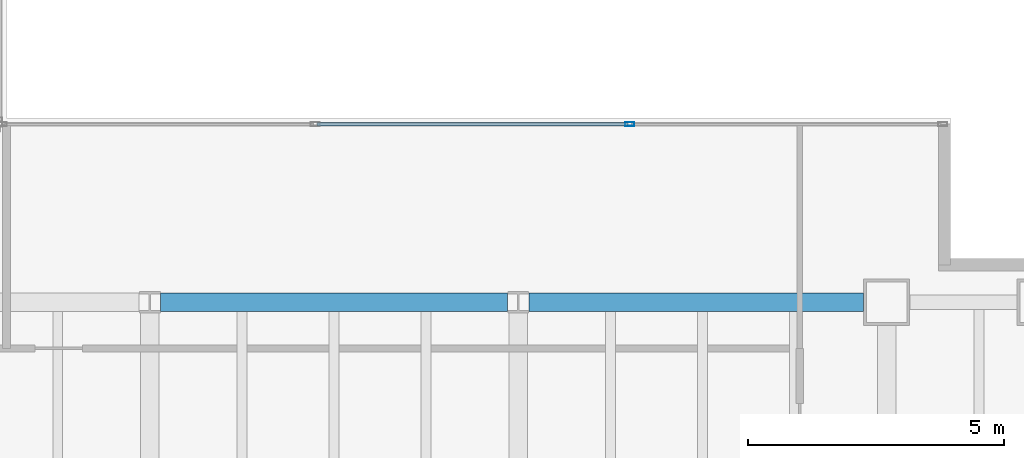
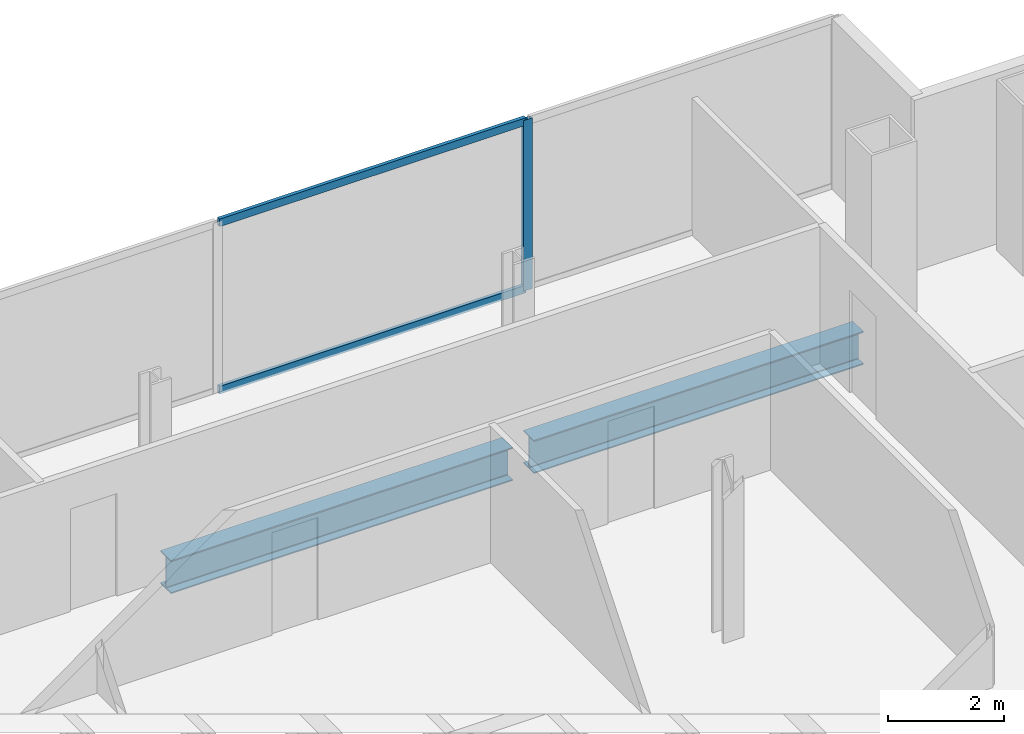
# One storey, part 14 of 23: 3 members, 2 beams, 1 element without a shape of its own.
"""IFC4 building model written with IfcOpenShell, lengths in metres."""

from ifc_helpers import new_model, si_unit, direction, frame, origin, origin_2d, place, context, subcontext, project, spatial, hollow_rectangle, i_section, extrude, material, material_profile, profile_set, type_object, element, aggregate, save


model = new_model("IFC4")

# Units and contexts
model_context = context("Model", 3, precision=1e-05, world=origin(), true_north=direction((0.0, 1.0)))
body_context = subcontext(model_context, "Body", "Model", "MODEL_VIEW")
ifc_project = project(units=[si_unit("LENGTHUNIT", "METRE"), si_unit("AREAUNIT", "SQUARE_METRE"), si_unit("VOLUMEUNIT", "CUBIC_METRE"), si_unit("PLANEANGLEUNIT", "RADIAN"), si_unit("MASSUNIT", "GRAM", prefix="KILO")], contexts=[model_context])

# Site, building, storey
site_placement = place(None, origin())
site = spatial("IfcSite", under=ifc_project, at=site_placement, CompositionType="ELEMENT")
building_placement = place(site_placement, origin())
building = spatial("IfcBuilding", under=site, at=building_placement, Name="Cobrela Telecom Tower", CompositionType="ELEMENT")
storey_placement = place(building_placement, frame((0.0, 0.0, 125.300048828125)))
storey = spatial("IfcBuildingStorey", under=building, at=storey_placement, Name="L31", CompositionType="ELEMENT", Elevation=125.300048828125)

# Beams
ifc_material_1 = material(Name="Steel ASTM A992 Grade 50", Category="steel")
ifc_material_profile_1 = material_profile(ifc_material_1, i_section(OverallWidth=0.35595703125, OverallDepth=0.696044921875, WebThickness=0.015380859375, FlangeThickness=0.024658203125, FilletRadius=0.01806640625, at=origin_2d()), Name="W27X146")
ifc_profile_set_1 = profile_set([ifc_material_profile_1], Name="Steel ASTM A992 Grade 50")
beam_type = type_object("IfcBeamType", Name="BM-GIRD-05", PredefinedType="USERDEFINED", material=ifc_profile_set_1)
beam_1_placement = place(storey_placement, frame((29.009521484375, 21.60009765625, -0.6181640625), z_axis=(1.0, 0.0, 0.0), x_axis=(0.0, 1.0, 0.0)))
element("IfcBeam", 1, at=beam_1_placement, inside=storey, type_object=beam_type, Name="L31 Primary Girder X20", ObjectType="GIRDER", PredefinedType="USERDEFINED", context=body_context, shape_type="SweptSolid", body=[
    extrude(i_section(OverallWidth=0.35595703125, OverallDepth=0.696044921875, WebThickness=0.015380859375, FlangeThickness=0.024658203125, FilletRadius=0.01806640625, at=origin_2d()), origin(), (0.0, 0.0, 1.0), 6.781005859375),
])
beam_2_placement = place(storey_placement, frame((36.20947265625, 21.60009765625, -0.6181640625), z_axis=(1.0, 0.0, 0.0), x_axis=(0.0, 1.0, 0.0)))
element("IfcBeam", 2, at=beam_2_placement, inside=storey, type_object=beam_type, Name="L31 Primary Girder X21", ObjectType="GIRDER", PredefinedType="USERDEFINED", context=body_context, shape_type="SweptSolid", body=[
    extrude(i_section(OverallWidth=0.35595703125, OverallDepth=0.696044921875, WebThickness=0.015380859375, FlangeThickness=0.024658203125, FilletRadius=0.01806640625, at=origin_2d()), origin(), (0.0, 0.0, 1.0), 6.53564453125),
])

# Curtain wall, members
ifc_material_2 = material(Name="Anodized Bronze Aluminium 6063-T6", Category="aluminium")
curtain_wall_type = type_object("IfcCurtainWallType", Name="CW-SYS-TEL", PredefinedType="USERDEFINED", material=ifc_material_2)
curtain_wall_placement = place(storey_placement, origin())
curtain_wall = element("IfcCurtainWall", 3, at=curtain_wall_placement, inside=storey, type_object=curtain_wall_type, Name="L31 Unitised Bronze Curtain Wall 11", ObjectType="UNITISED CURTAIN WALL", PredefinedType="USERDEFINED")
ifc_material_profile_2 = material_profile(ifc_material_2, hollow_rectangle(XDim=0.074951171875, YDim=0.179931640625, WallThickness=0.00390625, at=origin_2d()), Name="ALU 75x180x4")
ifc_profile_set_2 = profile_set([ifc_material_profile_2], Name="Anodized Bronze Aluminium 6063-T6")
member_type_1 = type_object("IfcMemberType", Name="CW-SYS-TEL-MUL", PredefinedType="MULLION", material=ifc_profile_set_2)
member_1_placement = place(storey_placement, frame((38.179931640625, 25.080078125, 0.0), z_axis=(0.0, 0.0, 1.0), x_axis=(0.0, 1.0, 0.0)))
member_1 = element("IfcMember", 4, at=member_1_placement, type_object=member_type_1, Name="CW-TEL mullion 3", PredefinedType="MULLION", context=body_context, shape_type="SweptSolid", body=[
    extrude(hollow_rectangle(XDim=0.074951171875, YDim=0.179931640625, WallThickness=0.00390625, at=origin_2d()), origin(), (0.0, 0.0, 1.0), 3.579833984375),
])
ifc_material_profile_3 = material_profile(ifc_material_2, hollow_rectangle(XDim=0.070068359375, YDim=0.159912109375, WallThickness=0.00390625, at=origin_2d()), Name="ALU 70x160x4")
ifc_profile_set_3 = profile_set([ifc_material_profile_3], Name="Anodized Bronze Aluminium 6063-T6")
member_type_2 = type_object("IfcMemberType", Name="CW-SYS-TEL-TRN", PredefinedType="USERDEFINED", material=ifc_profile_set_3)
member_2_placement = place(storey_placement, frame((32.0673828125, 25.080078125, 0.034912109375), z_axis=(1.0, 0.0, 0.0), x_axis=(0.0, 1.0, 0.0)))
member_2 = element("IfcMember", 5, at=member_2_placement, type_object=member_type_2, Name="CW-TEL transom 2.1", ObjectType="TRANSOM", PredefinedType="USERDEFINED", context=body_context, shape_type="SweptSolid", body=[
    extrude(hollow_rectangle(XDim=0.070068359375, YDim=0.159912109375, WallThickness=0.00390625, at=origin_2d()), origin(), (0.0, 0.0, 1.0), 6.0751953125),
])
member_3_placement = place(storey_placement, frame((32.0673828125, 25.080078125, 3.544921875), z_axis=(1.0, 0.0, 0.0), x_axis=(0.0, 1.0, 0.0)))
member_3 = element("IfcMember", 6, at=member_3_placement, type_object=member_type_2, Name="CW-TEL transom 2.2", ObjectType="TRANSOM", PredefinedType="USERDEFINED", context=body_context, shape_type="SweptSolid", body=[
    extrude(hollow_rectangle(XDim=0.070068359375, YDim=0.159912109375, WallThickness=0.00390625, at=origin_2d()), origin(), (0.0, 0.0, 1.0), 6.0751953125),
])
aggregate(curtain_wall, [member_1, member_2, member_3])

save(model, "model.ifc")
